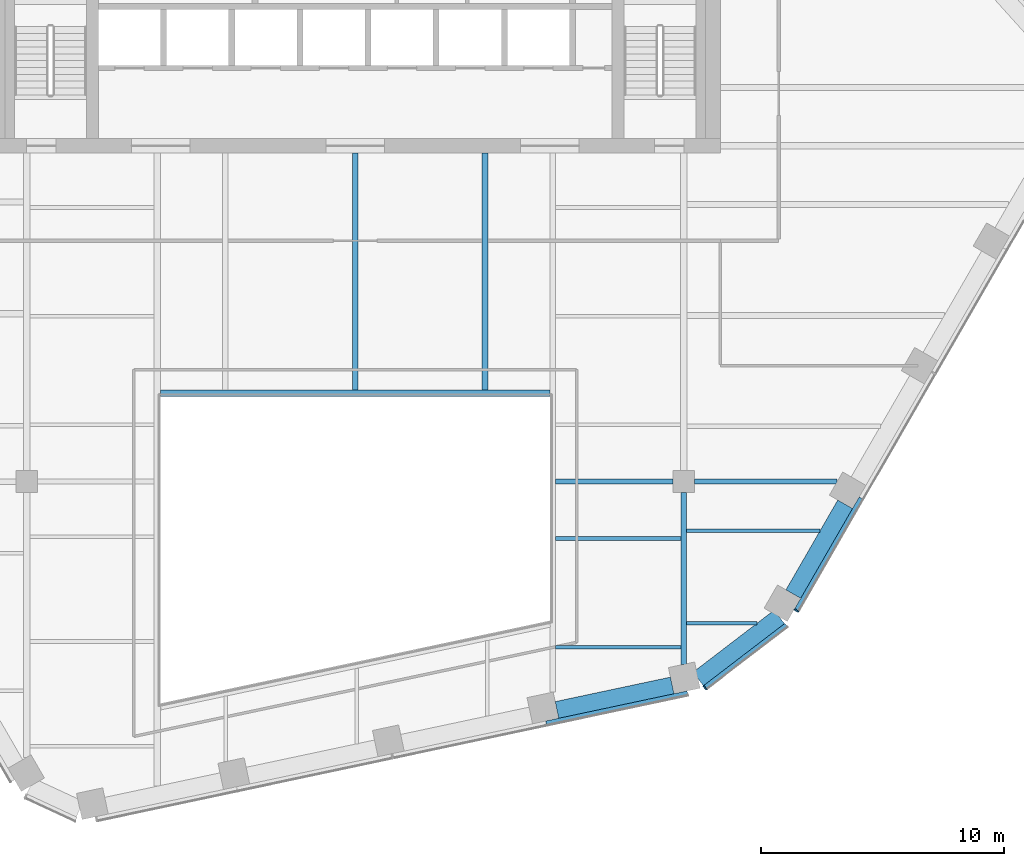
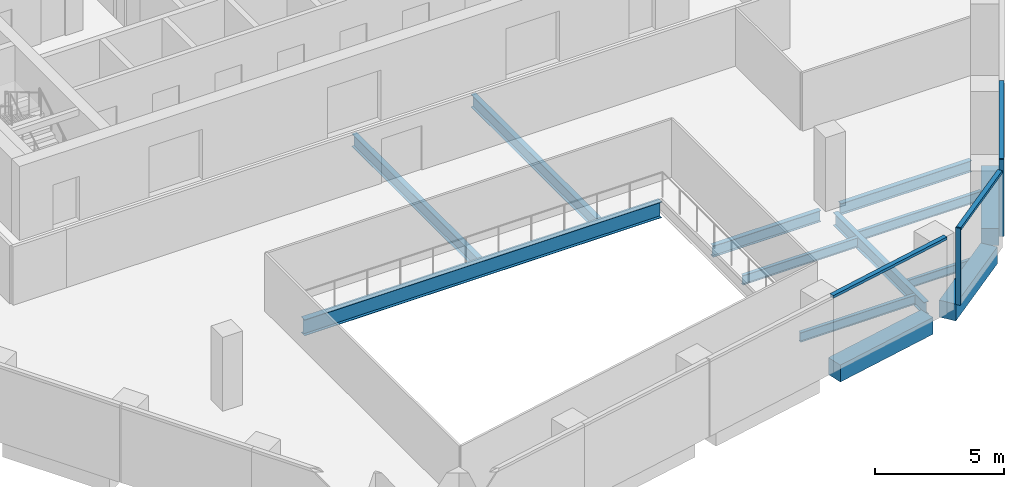
# One storey, part 4 of 15: 13 beams, 5 members, 3 elements without a shape of their own.
"""IFC4 building model written with IfcOpenShell, lengths in metres."""

from ifc_helpers import new_model, si_unit, direction, frame, origin, origin_2d, place, context, subcontext, project, spatial, rectangle, i_section, extrude, material, layer, layer_set, material_profile, profile_set, type_object, element, aggregate, save


model = new_model("IFC4")

# Units and contexts
model_context = context("Model", 3, precision=1e-05, world=origin(), true_north=direction((0.0, 1.0)))
body_context = subcontext(model_context, "Body", "Model", "MODEL_VIEW")
ifc_project = project(units=[si_unit("LENGTHUNIT", "METRE"), si_unit("AREAUNIT", "SQUARE_METRE"), si_unit("VOLUMEUNIT", "CUBIC_METRE"), si_unit("PLANEANGLEUNIT", "RADIAN"), si_unit("MASSUNIT", "GRAM", prefix="KILO")], contexts=[model_context])

# Site, building, storey
site_placement = place(None, origin())
site = spatial("IfcSite", under=ifc_project, at=site_placement, CompositionType="ELEMENT")
building_placement = place(site_placement, origin())
building = spatial("IfcBuilding", under=site, at=building_placement, Name="Isthmus Gate Tower", CompositionType="ELEMENT")
storey_placement = place(building_placement, frame((0.0, 0.0, 241.85009765625)))
storey = spatial("IfcBuildingStorey", under=building, at=storey_placement, Name="L61", CompositionType="ELEMENT", Elevation=241.85009765625)

# Curtain wall, member
ifc_material_1 = material(Name="Aluminium, pale champagne anodised", Category="aluminium")
ifc_layer = layer(ifc_material_1, 0.199951171875)
ifc_layer_set = layer_set([ifc_layer], Name="CW-1 UNITISED CURTAIN WALL 200 DEEP")
curtain_wall_type = type_object("IfcCurtainWallType", Name="CW-1 UNITISED CURTAIN WALL 200 DEEP", PredefinedType="NOTDEFINED", material=ifc_layer_set)
curtain_wall_1_placement = place(storey_placement, origin())
curtain_wall_1 = element("IfcCurtainWall", 1, at=curtain_wall_1_placement, inside=storey, type_object=curtain_wall_type, Name="CW-1 S-SE L61", PredefinedType="NOTDEFINED")
ifc_material_2 = material(Name="Aluminium, pale champagne anodised", Category="aluminium")
ifc_material_profile_1 = material_profile(ifc_material_2, rectangle(XDim=0.06005859375, YDim=0.199951171875, at=origin_2d()), Name="60x200")
ifc_profile_set_1 = profile_set([ifc_material_profile_1], Name="Aluminium, pale champagne anodised")
member_type_1 = type_object("IfcMemberType", Name="CW-1 MULLION 60 X 200", PredefinedType="MULLION", material=ifc_profile_set_1)
member_1_placement = place(storey_placement, frame((14.3720703125, -21.961669921875, 0.0), z_axis=(0.0, 0.0, 1.0), x_axis=(0.794188594387, 0.607671355706, 0.0)))
member_1 = element("IfcMember", 2, at=member_1_placement, type_object=member_type_1, Name="CW-1 mullion", PredefinedType="MULLION", context=body_context, shape_type="SweptSolid", body=[
    extrude(rectangle(XDim=0.06005859375, YDim=0.199951171875, at=origin_2d()), origin(), (0.0, 0.0, 1.0), 3.64990234375),
])

curtain_wall_2_placement = place(storey_placement, origin())
curtain_wall_2 = element("IfcCurtainWall", 3, at=curtain_wall_2_placement, inside=storey, type_object=curtain_wall_type, Name="CW-1 SE L61", PredefinedType="NOTDEFINED")
member_2_placement = place(storey_placement, frame((18.131591796875, -18.794921875, 0.0), z_axis=(0.0, 0.0, 1.0), x_axis=(0.5, 0.866025403784, 0.0)))
member_2 = element("IfcMember", 4, at=member_2_placement, type_object=member_type_1, Name="CW-1 mullion", PredefinedType="MULLION", context=body_context, shape_type="SweptSolid", body=[
    extrude(rectangle(XDim=0.06005859375, YDim=0.199951171875, at=origin_2d()), origin(), (0.0, 0.0, 1.0), 3.64990234375),
])

curtain_wall_3_placement = place(storey_placement, origin())
curtain_wall_3 = element("IfcCurtainWall", 5, at=curtain_wall_3_placement, inside=storey, type_object=curtain_wall_type, Name="CW-1 S L61", PredefinedType="NOTDEFINED")
ifc_material_3 = material(Name="Aluminium, pale champagne anodised", Category="aluminium")
ifc_material_profile_2 = material_profile(ifc_material_3, rectangle(XDim=0.199951171875, YDim=0.1298828125, at=origin_2d()), Name="200x130")
ifc_profile_set_2 = profile_set([ifc_material_profile_2], Name="Aluminium, pale champagne anodised")
member_type_2 = type_object("IfcMemberType", Name="CW-1 TRANSOM 200 X 130", PredefinedType="USERDEFINED", material=ifc_profile_set_2)
member_3_placement = place(storey_placement, frame((7.844970703125, -23.434814453125, 3.5849609375), z_axis=(0.978148616043, 0.207906914105, 0.0), x_axis=(-0.207906914105, 0.978148616043, 0.0)))
member_3 = element("IfcMember", 6, at=member_3_placement, type_object=member_type_2, Name="CW-1 transom", ObjectType="TRANSOM", PredefinedType="USERDEFINED", context=body_context, shape_type="SweptSolid", body=[
    extrude(rectangle(XDim=0.199951171875, YDim=0.1298828125, at=origin_2d()), origin(), (0.0, 0.0, 1.0), 5.94189453125),
])
aggregate(curtain_wall_3, [member_3])

# Member
member_4_placement = place(storey_placement, frame((14.39599609375, -21.943603515625, 3.5849609375), z_axis=(0.794175498212, 0.607688471209, 0.0), x_axis=(-0.607688471209, 0.794175498212, 0.0)))
member_4 = element("IfcMember", 7, at=member_4_placement, type_object=member_type_2, Name="CW-1 transom", ObjectType="TRANSOM", PredefinedType="USERDEFINED", context=body_context, shape_type="SweptSolid", body=[
    extrude(rectangle(XDim=0.199951171875, YDim=0.1298828125, at=origin_2d()), origin(), (0.0, 0.0, 1.0), 4.181396484375),
])

aggregate(curtain_wall_1, [member_1, member_4])

member_5_placement = place(storey_placement, frame((18.146728515625, -18.76904296875, 3.5849609375), z_axis=(0.499968318869, 0.866043694121, 0.0), x_axis=(-0.866043694121, 0.499968318869, 0.0)))
member_5 = element("IfcMember", 8, at=member_5_placement, type_object=member_type_2, Name="CW-1 transom", ObjectType="TRANSOM", PredefinedType="USERDEFINED", context=body_context, shape_type="SweptSolid", body=[
    extrude(rectangle(XDim=0.199951171875, YDim=0.1298828125, at=origin_2d()), origin(), (0.0, 0.0, 1.0), 5.300537109375),
])

aggregate(curtain_wall_2, [member_2, member_5])

# Beams
ifc_material_4 = material(Name="Concrete f'c 50 MPa", Category="concrete")
ifc_material_profile_3 = material_profile(ifc_material_4, rectangle(XDim=0.699951171875, YDim=0.800048828125, at=origin_2d()), Name="RC 700X800")
ifc_profile_set_3 = profile_set([ifc_material_profile_3], Name="Concrete f'c 50 MPa")
beam_type_1 = type_object("IfcBeamType", Name="RC SPANDREL 700 X 800", PredefinedType="SPANDREL", material=ifc_profile_set_3)
beam_1_placement = place(storey_placement, frame((20.13232421875, -14.429931640625, -0.400146484375), z_axis=(-0.500021719575, -0.866012863619, 0.0), x_axis=(0.866012863619, -0.500021719575, 0.0)))
element("IfcBeam", 9, at=beam_1_placement, inside=storey, type_object=beam_type_1, Name="str-spandrel-L61-09", PredefinedType="SPANDREL", context=body_context, shape_type="SweptSolid", body=[
    extrude(rectangle(XDim=0.699951171875, YDim=0.800048828125, at=origin_2d()), origin(), (0.0, 0.0, 1.0), 4.260498046875),
])
beam_2_placement = place(storey_placement, frame((17.4267578125, -19.057861328125, -0.400146484375), z_axis=(-0.794182771845, -0.60767896533, 0.0), x_axis=(0.60767896533, -0.794182771845, 0.0)))
element("IfcBeam", 10, at=beam_2_placement, inside=storey, type_object=beam_type_1, Name="str-spandrel-L61-10", PredefinedType="SPANDREL", context=body_context, shape_type="SweptSolid", body=[
    extrude(rectangle(XDim=0.699951171875, YDim=0.800048828125, at=origin_2d()), origin(), (0.0, 0.0, 1.0), 4.19677734375),
])
beam_3_placement = place(storey_placement, frame((13.025390625, -21.87353515625, -0.400146484375), z_axis=(-0.978151545833, -0.207893129722, 0.0), x_axis=(0.207893129722, -0.978151545833, 0.0)))
element("IfcBeam", 11, at=beam_3_placement, inside=storey, type_object=beam_type_1, Name="str-spandrel-L61-11", PredefinedType="SPANDREL", context=body_context, shape_type="SweptSolid", body=[
    extrude(rectangle(XDim=0.699951171875, YDim=0.800048828125, at=origin_2d()), origin(), (0.0, 0.0, 1.0), 4.841796875),
])
ifc_material_5 = material(Name="Structural steel ASTM A992 Gr 50", Category="steel")
ifc_material_profile_4 = material_profile(ifc_material_5, i_section(OverallWidth=0.1396484375, OverallDepth=0.4033203125, WebThickness=0.00634765625, FlangeThickness=0.010986328125, at=origin_2d()), Name="W16X31")
ifc_profile_set_4 = profile_set([ifc_material_profile_4], Name="Structural steel ASTM A992 Gr 50")
beam_type_2 = type_object("IfcBeamType", Name="STEEL FLOOR BEAM W16X31", PredefinedType="JOIST", material=ifc_profile_set_4)
beam_4_placement = place(storey_placement, frame((13.6142578125, -19.322998046875, -0.351806640625), z_axis=(1.0, 0.0, 0.0), x_axis=(0.0, 1.0, 0.0)))
element("IfcBeam", 12, at=beam_4_placement, inside=storey, type_object=beam_type_2, Name="str-beam-L61-11-00", PredefinedType="JOIST", context=body_context, shape_type="SweptSolid", body=[
    extrude(i_section(OverallWidth=0.1396484375, OverallDepth=0.4033203125, WebThickness=0.00634765625, FlangeThickness=0.010986328125, at=origin_2d()), origin(), (0.0, 0.0, 1.0), 2.889892578125),
])
ifc_material_6 = material(Name="Structural steel ASTM A992 Gr 50", Category="steel")
ifc_material_profile_5 = material_profile(ifc_material_6, i_section(OverallWidth=0.15234375, OverallDepth=0.45068359375, WebThickness=0.0078125, FlangeThickness=0.010986328125, at=origin_2d()), Name="W18X35")
ifc_profile_set_5 = profile_set([ifc_material_profile_5], Name="Structural steel ASTM A992 Gr 50")
beam_type_3 = type_object("IfcBeamType", Name="STEEL FLOOR BEAM W18X35", PredefinedType="JOIST", material=ifc_profile_set_5)
for number, where, z_axis, x_axis, name in (
    (13, (8.228515625, -20.3046875, -0.37548828125), (1.0, 0.0, 0.0), (0.0, 1.0, 0.0), "str-beam-L61-09-00"),
    (14, (8.228515625, -15.838134765625, -0.37548828125), (1.0, 0.0, 0.0), (0.0, 1.0, 0.0), "str-beam-L61-09-01"),
):
    element("IfcBeam", number, at=place(storey_placement, frame(where, z_axis=z_axis, x_axis=x_axis)), inside=storey, type_object=beam_type_3, Name=name, PredefinedType="JOIST", context=body_context, shape_type="SweptSolid", body=[
        extrude(i_section(OverallWidth=0.15234375, OverallDepth=0.45068359375, WebThickness=0.0078125, FlangeThickness=0.010986328125, at=origin_2d()), origin(), (0.0, 0.0, 1.0), 5.1572265625),
    ])
beam_5_placement = place(storey_placement, frame((13.6142578125, -15.5107421875, -0.37548828125), z_axis=(1.0, 0.0, 0.0), x_axis=(0.0, 1.0, 0.0)))
element("IfcBeam", 15, at=beam_5_placement, inside=storey, type_object=beam_type_3, Name="str-beam-L61-11-01", PredefinedType="JOIST", context=body_context, shape_type="SweptSolid", body=[
    extrude(i_section(OverallWidth=0.15234375, OverallDepth=0.45068359375, WebThickness=0.0078125, FlangeThickness=0.010986328125, at=origin_2d()), origin(), (0.0, 0.0, 1.0), 5.48974609375),
])
ifc_material_7 = material(Name="Structural steel ASTM A992 Gr 50", Category="steel")
ifc_material_profile_6 = material_profile(ifc_material_7, i_section(OverallWidth=0.228515625, OverallDepth=0.603271484375, WebThickness=0.010986328125, FlangeThickness=0.014404296875, at=origin_2d()), Name="W24X68")
ifc_profile_set_6 = profile_set([ifc_material_profile_6], Name="Structural steel ASTM A992 Gr 50")
beam_type_4 = type_object("IfcBeamType", Name="STEEL FLOOR BEAM W24X68", PredefinedType="JOIST", material=ifc_profile_set_6)
for number, where, z_axis, x_axis, name in (
    (16, (0.0, -9.7333984375, -0.45166015625), (0.0, 1.0, 0.0), (-1.0, 0.0, 0.0), "str-beam-L61-07-01"),
    (17, (5.333251953125, -9.7333984375, -0.45166015625), (0.0, 1.0, 0.0), (-1.0, 0.0, 0.0), "str-beam-L61-07-02"),
):
    element("IfcBeam", number, at=place(storey_placement, frame(where, z_axis=z_axis, x_axis=x_axis)), inside=storey, type_object=beam_type_4, Name=name, PredefinedType="JOIST", context=body_context, shape_type="SweptSolid", body=[
        extrude(i_section(OverallWidth=0.228515625, OverallDepth=0.603271484375, WebThickness=0.010986328125, FlangeThickness=0.014404296875, at=origin_2d()), origin(), (0.0, 0.0, 1.0), 9.7333984375),
    ])
ifc_material_8 = material(Name="Structural steel ASTM A992 Gr 50", Category="steel")
ifc_material_profile_7 = material_profile(ifc_material_8, i_section(OverallWidth=0.20947265625, OverallDepth=0.533447265625, WebThickness=0.009521484375, FlangeThickness=0.015869140625, at=origin_2d()), Name="W21X62")
ifc_profile_set_7 = profile_set([ifc_material_profile_7], Name="Structural steel ASTM A992 Gr 50")
beam_type_5 = type_object("IfcBeamType", Name="STEEL GIRDER W21X62", PredefinedType="BEAM", material=ifc_profile_set_7)
beam_6_placement = place(storey_placement, frame((8.228515625, -13.5, -0.416748046875), z_axis=(1.0, 0.0, 0.0), x_axis=(0.0, 1.0, 0.0)))
element("IfcBeam", 18, at=beam_6_placement, inside=storey, type_object=beam_type_5, Name="str-girder-L61-03", PredefinedType="BEAM", context=body_context, shape_type="SweptSolid", body=[
    extrude(i_section(OverallWidth=0.20947265625, OverallDepth=0.533447265625, WebThickness=0.009521484375, FlangeThickness=0.015869140625, at=origin_2d()), origin(), (0.0, 0.0, 1.0), 4.821533203125),
])
beam_7_placement = place(storey_placement, frame((13.949951171875, -13.5, -0.416748046875), z_axis=(1.0, 0.0, 0.0), x_axis=(0.0, 1.0, 0.0)))
element("IfcBeam", 19, at=beam_7_placement, inside=storey, type_object=beam_type_5, Name="str-girder-L61-04", PredefinedType="BEAM", context=body_context, shape_type="SweptSolid", body=[
    extrude(i_section(OverallWidth=0.20947265625, OverallDepth=0.533447265625, WebThickness=0.009521484375, FlangeThickness=0.015869140625, at=origin_2d()), origin(), (0.0, 0.0, 1.0), 5.853271484375),
])
ifc_material_9 = material(Name="Structural steel ASTM A992 Gr 50", Category="steel")
ifc_material_profile_8 = material_profile(ifc_material_9, i_section(OverallWidth=0.228515625, OverallDepth=0.603271484375, WebThickness=0.010986328125, FlangeThickness=0.014404296875, at=origin_2d()), Name="W24X68")
ifc_profile_set_8 = profile_set([ifc_material_profile_8], Name="Structural steel ASTM A992 Gr 50")
beam_type_6 = type_object("IfcBeamType", Name="STEEL GIRDER W24X68", PredefinedType="BEAM", material=ifc_profile_set_8)
beam_8_placement = place(storey_placement, frame((13.5, -21.005859375, -0.45166015625), z_axis=(0.0, 1.0, 0.0), x_axis=(-1.0, 0.0, 0.0)))
element("IfcBeam", 20, at=beam_8_placement, inside=storey, type_object=beam_type_6, Name="str-girder-L61-07", PredefinedType="BEAM", context=body_context, shape_type="SweptSolid", body=[
    extrude(i_section(OverallWidth=0.228515625, OverallDepth=0.603271484375, WebThickness=0.010986328125, FlangeThickness=0.014404296875, at=origin_2d()), origin(), (0.0, 0.0, 1.0), 7.055908203125),
])
ifc_material_10 = material(Name="Structural steel ASTM A992 Gr 50", Category="steel")
ifc_material_profile_9 = material_profile(ifc_material_10, i_section(OverallWidth=0.2666015625, OverallDepth=0.7587890625, WebThickness=0.014404296875, FlangeThickness=0.01904296875, at=origin_2d()), Name="W30X108")
ifc_profile_set_9 = profile_set([ifc_material_profile_9], Name="Structural steel ASTM A992 Gr 50")
beam_type_7 = type_object("IfcBeamType", Name="STEEL TRIMMER W30X108", PredefinedType="BEAM", material=ifc_profile_set_9)
beam_9_placement = place(storey_placement, frame((8.0, -9.86669921875, -0.529541015625), z_axis=(-1.0, 0.0, 0.0), x_axis=(0.0, -1.0, 0.0)))
element("IfcBeam", 21, at=beam_9_placement, inside=storey, type_object=beam_type_7, Name="str-trimmer-L61-04", PredefinedType="BEAM", context=body_context, shape_type="SweptSolid", body=[
    extrude(i_section(OverallWidth=0.2666015625, OverallDepth=0.7587890625, WebThickness=0.014404296875, FlangeThickness=0.01904296875, at=origin_2d()), origin(), (0.0, 0.0, 1.0), 16.0),
])

save(model, "model.ifc")
